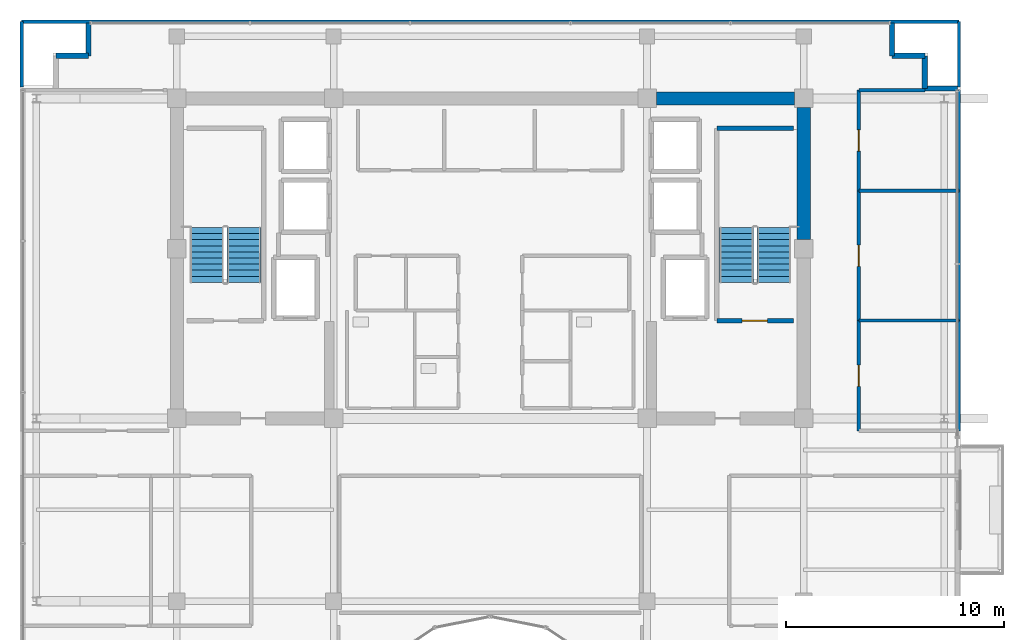
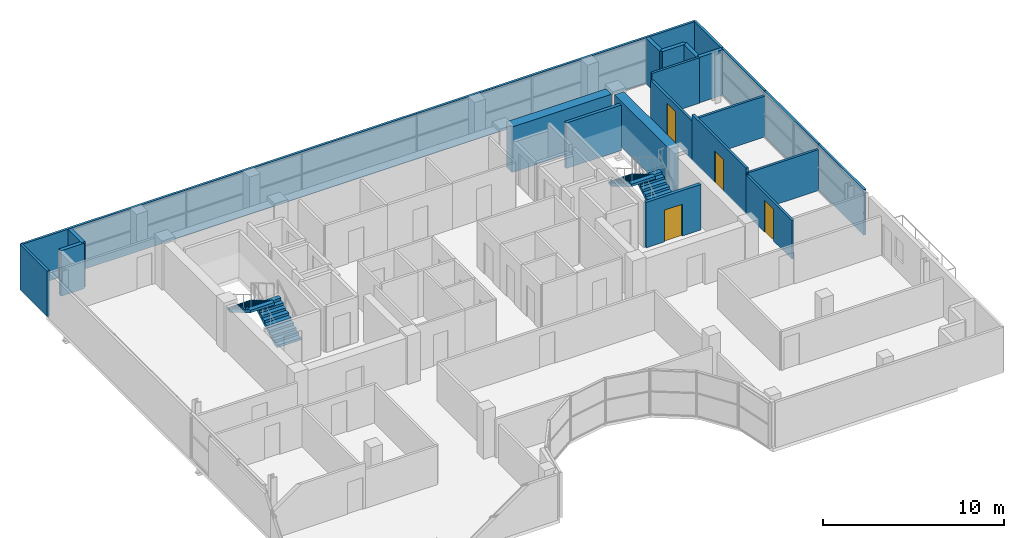
# One storey, part 26 of 29: 22 walls, 4 doors, 4 stair flights, 4 openings, 2 elements without a shape of their own.
"""IFC4 building model written with IfcOpenShell, lengths in metres."""

from ifc_helpers import new_model, si_unit, direction, frame, frame_2d, origin, place, context, subcontext, project, spatial, polyline, rectangle, outline, extrude, source, transform, mapped, material, layer, layer_set, type_object, element, fill, aggregate, save


model = new_model("IFC4")

# Units and contexts
model_context = context("Model", 3, precision=1e-05, world=origin(), true_north=direction((0.0, 1.0)))
body_context = subcontext(model_context, "Body", "Model", "MODEL_VIEW")
ifc_project = project(units=[si_unit("LENGTHUNIT", "METRE"), si_unit("AREAUNIT", "SQUARE_METRE"), si_unit("VOLUMEUNIT", "CUBIC_METRE"), si_unit("PLANEANGLEUNIT", "RADIAN"), si_unit("MASSUNIT", "GRAM", prefix="KILO")], contexts=[model_context])

# Site, building, storey
site_placement = place(None, origin())
site = spatial("IfcSite", under=ifc_project, at=site_placement, CompositionType="ELEMENT")
building_placement = place(site_placement, origin())
building = spatial("IfcBuilding", under=site, at=building_placement, Name="Zarnakvel Exchange Tower", CompositionType="ELEMENT")
storey_placement = place(building_placement, frame((0.0, 0.0, 258.39990234375)))
storey = spatial("IfcBuildingStorey", under=building, at=storey_placement, Name="L73", CompositionType="ELEMENT", Elevation=258.39990234375)

# Walls
ifc_material_1 = material(Name="Concrete C50/60", Category="concrete")
ifc_layer_1 = layer(ifc_material_1, 0.60009765625)
ifc_layer_set_1 = layer_set([ifc_layer_1], Name="Concrete C50/60")
wall_type_1 = type_object("IfcWallType", Name="CW-C5", PredefinedType="SHEAR", material=ifc_layer_set_1)
wall_1_placement = place(storey_placement, frame((7.625, 13.5, 0.0), z_axis=(0.0, 0.0, 1.0), x_axis=(1.0, 0.0, 0.0)))
element("IfcWall", 1, at=wall_1_placement, inside=storey, type_object=wall_type_1, Name="L73 Rear Core Shear Wall N3 (CW-C5)", PredefinedType="SHEAR", context=body_context, shape_type="SweptSolid", body=[
    extrude(rectangle(XDim=6.35009765625, YDim=0.60009765625, at=frame_2d((3.175048828125, 0.0))), origin(), (0.0, 0.0, 1.0), 3.0751953125),
])
wall_2_placement = place(storey_placement, frame((14.39990234375, 7.02490234375, 0.0), z_axis=(0.0, 0.0, 1.0), x_axis=(0.0, 1.0, 0.0)))
element("IfcWall", 2, at=wall_2_placement, inside=storey, type_object=wall_type_1, Name="L73 Rear Core Shear Wall E2 (CW-C5)", PredefinedType="SHEAR", context=body_context, shape_type="SweptSolid", body=[
    extrude(rectangle(XDim=6.050048828125, YDim=0.60009765625, at=frame_2d((3.02490234375, 0.0))), origin(), (0.0, 0.0, 1.0), 3.0751953125),
])
ifc_material_2 = material(Name="Precast concrete C40/50", Category="concrete")
ifc_layer_2 = layer(ifc_material_2, 0.239990234375)
ifc_layer_set_2 = layer_set([ifc_layer_2], Name="Precast concrete C40/50")
wall_type_2 = type_object("IfcWallType", Name="EW-02", PredefinedType="SOLIDWALL", material=ifc_layer_set_2)
for number, where, z_axis, x_axis, name in (
    (3, (-18.4599609375, 15.4599609375, 0.0), (0.0, 0.0, 1.0), (-1.0, 0.0, 0.0), "L73 Exterior Precast Spandrel Wall EWC-L73-03 (EW-02)"),
    (4, (-18.4599609375, 16.9599609375, 0.0), (0.0, 0.0, 1.0), (0.0, -1.0, 0.0), "L73 Exterior Precast Spandrel Wall EWC-L73-04 (EW-02)"),
    (5, (18.4599609375, 15.4599609375, 0.0), (0.0, 0.0, 1.0), (0.0, 1.0, 0.0), "L73 Exterior Precast Spandrel Wall EWC-L73-05 (EW-02)"),
    (6, (19.9599609375, 15.4599609375, 0.0), (0.0, 0.0, 1.0), (-1.0, 0.0, 0.0), "L73 Exterior Precast Spandrel Wall EWC-L73-06 (EW-02)"),
    (7, (19.9599609375, 13.9599609375, 0.0), (0.0, 0.0, 1.0), (0.0, 1.0, 0.0), "L73 Exterior Precast Spandrel Wall EWC-L73-07 (EW-02)"),
    (8, (21.4599609375, 13.9599609375, 0.0), (0.0, 0.0, 1.0), (-1.0, 0.0, 0.0), "L73 Exterior Precast Spandrel Wall EWC-L73-08 (EW-02)"),
):
    element("IfcWall", number, at=place(storey_placement, frame(where, z_axis=z_axis, x_axis=x_axis)), inside=storey, type_object=wall_type_2, Name=name, PredefinedType="SOLIDWALL", context=body_context, shape_type="SweptSolid", body=[
        extrude(rectangle(XDim=1.5, YDim=0.239990234375, at=frame_2d((0.75, 0.0))), origin(), (0.0, 0.0, 1.0), 3.0751953125),
    ])
ifc_material_3 = material(Name="Fire-Rated Gypsum Stud Partition", Category="gypsum")
ifc_layer_3 = layer(ifc_material_3, 0.14990234375)
ifc_layer_set_3 = layer_set([ifc_layer_3], Name="Fire-Rated Gypsum Stud Partition")
wall_type_3 = type_object("IfcWallType", Name="PT-01", PredefinedType="PARTITIONING", material=ifc_layer_set_3)
wall_3_placement = place(storey_placement, frame((16.929931640625, 3.2978515625, 0.0), z_axis=(0.0, 0.0, 1.0), x_axis=(1.0, 0.0, 0.0)))
element("IfcWall", 9, at=wall_3_placement, inside=storey, type_object=wall_type_3, Name="L73 Partition Wall PWALL-L73-069 (PT-01)", PredefinedType="PARTITIONING", context=body_context, shape_type="SweptSolid", body=[
    extrude(rectangle(XDim=4.60009765625, YDim=0.14990234375, at=frame_2d((2.300048828125, 0.0))), origin(), (0.0, 0.0, 1.0), 2.76513671875),
])

# Wall, opening, door
wall_4_placement = place(storey_placement, frame((16.929931640625, -1.77001953125, 0.0), z_axis=(0.0, 0.0, 1.0), x_axis=(0.0, 1.0, 0.0)))
wall_4 = element("IfcWall", 10, at=wall_4_placement, inside=storey, type_object=wall_type_3, Name="L73 Partition Wall PWALL-L73-070 (PT-01)", PredefinedType="PARTITIONING", context=body_context, shape_type="SweptSolid", body=[
    extrude(rectangle(XDim=5.06787109375, YDim=0.14990234375, at=frame_2d((2.533935546875, 0.0))), origin(), (0.0, 0.0, 1.0), 2.614990234375),
])
opening_1_placement = place(wall_4_placement, frame((2.0439453125, 0.0, 0.0)))
opening_1 = element("IfcOpeningElement", 11, at=opening_1_placement, cuts=wall_4, Name="Opening D-L73-24", PredefinedType="OPENING", context=body_context, shape_type="SweptSolid", body=[
    extrude(rectangle(XDim=0.97998046875, YDim=2.14990234375, at=frame_2d((0.489990234375, 1.074951171875))), frame((0.0, 0.0849609375, 0.0), z_axis=(0.0, -1.0, 0.0), x_axis=(1.0, 0.0, 0.0)), (0.0, 0.0, 1.0), 0.169921875),
])
ifc_material_4 = material(Name="Timber Acoustic Veneer", Category="wood")
door_type_1 = type_object("IfcDoorType", Name="DT-05", OperationType="NOTDEFINED", PredefinedType="DOOR", material=ifc_material_4)
shared_shape_1 = source(origin(), body_context, "Body", "SweptSolid", [
    extrude(rectangle(XDim=0.97998046875, YDim=2.14990234375, at=frame_2d((0.489990234375, 1.074951171875))), frame((0.0, 0.02490234375, 0.0), z_axis=(0.0, -1.0, 0.0), x_axis=(1.0, 0.0, 0.0)), (0.0, 0.0, 1.0), 0.050048828125),
])
door_1_placement = place(opening_1_placement, origin())
door_1 = element("IfcDoor", 12, at=door_1_placement, inside=storey, type_object=door_type_1, Name="L73 Breakout Pantry Door D-L73-24", OperationType="SINGLE_SWING_RIGHT", OverallHeight=2.14990234375, OverallWidth=0.97998046875, PredefinedType="DOOR", context=body_context, shape_type="MappedRepresentation", body=[
    mapped(shared_shape_1, transform((0.0, 0.0, 0.0), x_axis=(1.0, 0.0, 0.0), y_axis=(0.0, 1.0, 0.0), z_axis=(0.0, 0.0, 1.0), scale=1.0)),
])
fill(opening_1, door_1)

# Walls
wall_5_placement = place(storey_placement, frame((21.530029296875, 3.2978515625, 0.0), z_axis=(0.0, 0.0, 1.0), x_axis=(0.0, -1.0, 0.0)))
element("IfcWall", 13, at=wall_5_placement, inside=storey, type_object=wall_type_3, Name="L73 Partition Wall PWALL-L73-071 (PT-01)", PredefinedType="PARTITIONING", context=body_context, shape_type="SweptSolid", body=[
    extrude(rectangle(XDim=5.06787109375, YDim=0.14990234375, at=frame_2d((2.533935546875, 0.0))), origin(), (0.0, 0.0, 1.0), 3.0751953125),
])
wall_6_placement = place(storey_placement, frame((16.929931640625, 9.25830078125, 0.0), z_axis=(0.0, 0.0, 1.0), x_axis=(1.0, 0.0, 0.0)))
element("IfcWall", 14, at=wall_6_placement, inside=storey, type_object=wall_type_3, Name="L73 Partition Wall PWALL-L73-072 (PT-01)", PredefinedType="PARTITIONING", context=body_context, shape_type="SweptSolid", body=[
    extrude(rectangle(XDim=4.60009765625, YDim=0.14990234375, at=frame_2d((2.300048828125, 0.0))), origin(), (0.0, 0.0, 1.0), 2.76513671875),
])

# Wall, opening, door
wall_7_placement = place(storey_placement, frame((16.929931640625, 3.2978515625, 0.0), z_axis=(0.0, 0.0, 1.0), x_axis=(0.0, 1.0, 0.0)))
wall_7 = element("IfcWall", 15, at=wall_7_placement, inside=storey, type_object=wall_type_3, Name="L73 Partition Wall PWALL-L73-073 (PT-01)", PredefinedType="PARTITIONING", context=body_context, shape_type="SweptSolid", body=[
    extrude(rectangle(XDim=5.96044921875, YDim=0.14990234375, at=frame_2d((2.980224609375, 0.0))), origin(), (0.0, 0.0, 1.0), 3.0751953125),
])
opening_2_placement = place(wall_7_placement, frame((2.489990234375, 0.0, 0.0)))
opening_2 = element("IfcOpeningElement", 16, at=opening_2_placement, cuts=wall_7, Name="Opening D-L73-25", PredefinedType="OPENING", context=body_context, shape_type="SweptSolid", body=[
    extrude(rectangle(XDim=0.97998046875, YDim=2.14990234375, at=frame_2d((0.489990234375, 1.074951171875))), frame((0.0, 0.0849609375, 0.0), z_axis=(0.0, -1.0, 0.0), x_axis=(1.0, 0.0, 0.0)), (0.0, 0.0, 1.0), 0.169921875),
])
door_2_placement = place(opening_2_placement, origin())
door_2 = element("IfcDoor", 17, at=door_2_placement, inside=storey, type_object=door_type_1, Name="L73 Settlement Office Door D-L73-25", OperationType="SINGLE_SWING_LEFT", OverallHeight=2.14990234375, OverallWidth=0.97998046875, PredefinedType="DOOR", context=body_context, shape_type="MappedRepresentation", body=[
    mapped(shared_shape_1, transform((0.0, 0.0, 0.0), x_axis=(1.0, 0.0, 0.0), y_axis=(0.0, 1.0, 0.0), z_axis=(0.0, 0.0, 1.0), scale=1.0)),
])
fill(opening_2, door_2)

# Walls
wall_8_placement = place(storey_placement, frame((21.530029296875, 9.25830078125, 0.0), z_axis=(0.0, 0.0, 1.0), x_axis=(0.0, -1.0, 0.0)))
element("IfcWall", 18, at=wall_8_placement, inside=storey, type_object=wall_type_3, Name="L73 Partition Wall PWALL-L73-074 (PT-01)", PredefinedType="PARTITIONING", context=body_context, shape_type="SweptSolid", body=[
    extrude(rectangle(XDim=5.96044921875, YDim=0.14990234375, at=frame_2d((2.980224609375, 0.0))), origin(), (0.0, 0.0, 1.0), 3.0751953125),
])
wall_9_placement = place(storey_placement, frame((16.929931640625, 13.8798828125, 0.0), z_axis=(0.0, 0.0, 1.0), x_axis=(1.0, 0.0, 0.0)))
element("IfcWall", 19, at=wall_9_placement, inside=storey, type_object=wall_type_3, Name="L73 Partition Wall PWALL-L73-075 (PT-01)", PredefinedType="PARTITIONING", context=body_context, shape_type="SweptSolid", body=[
    extrude(rectangle(XDim=3.030029296875, YDim=0.14990234375, at=frame_2d((1.51513671875, 0.0))), origin(), (0.0, 0.0, 1.0), 3.0751953125),
])

# Wall, opening, door
wall_10_placement = place(storey_placement, frame((16.929931640625, 9.25830078125, 0.0), z_axis=(0.0, 0.0, 1.0), x_axis=(0.0, 1.0, 0.0)))
wall_10 = element("IfcWall", 20, at=wall_10_placement, inside=storey, type_object=wall_type_3, Name="L73 Partition Wall PWALL-L73-076 (PT-01)", PredefinedType="PARTITIONING", context=body_context, shape_type="SweptSolid", body=[
    extrude(rectangle(XDim=4.62158203125, YDim=0.14990234375, at=frame_2d((2.310791015625, 0.0))), origin(), (0.0, 0.0, 1.0), 2.614990234375),
])
opening_3_placement = place(wall_10_placement, frame((1.82080078125, 0.0, 0.0)))
opening_3 = element("IfcOpeningElement", 21, at=opening_3_placement, cuts=wall_10, Name="Opening D-L73-26", PredefinedType="OPENING", context=body_context, shape_type="SweptSolid", body=[
    extrude(rectangle(XDim=0.97998046875, YDim=2.14990234375, at=frame_2d((0.489990234375, 1.074951171875))), frame((0.0, 0.0849609375, 0.0), z_axis=(0.0, -1.0, 0.0), x_axis=(1.0, 0.0, 0.0)), (0.0, 0.0, 1.0), 0.169921875),
])
door_3_placement = place(opening_3_placement, origin())
door_3 = element("IfcDoor", 22, at=door_3_placement, inside=storey, type_object=door_type_1, Name="L73 Reception Lounge Door D-L73-26", OperationType="SINGLE_SWING_RIGHT", OverallHeight=2.14990234375, OverallWidth=0.97998046875, PredefinedType="DOOR", context=body_context, shape_type="MappedRepresentation", body=[
    mapped(shared_shape_1, transform((0.0, 0.0, 0.0), x_axis=(1.0, 0.0, 0.0), y_axis=(0.0, 1.0, 0.0), z_axis=(0.0, 0.0, 1.0), scale=1.0)),
])
fill(opening_3, door_3)

# Walls
wall_11_placement = place(storey_placement, frame((21.530029296875, 13.8798828125, 0.0), z_axis=(0.0, 0.0, 1.0), x_axis=(0.0, -1.0, 0.0)))
element("IfcWall", 23, at=wall_11_placement, inside=storey, type_object=wall_type_3, Name="L73 Partition Wall PWALL-L73-077 (PT-01)", PredefinedType="PARTITIONING", context=body_context, shape_type="SweptSolid", body=[
    extrude(rectangle(XDim=4.62158203125, YDim=0.14990234375, at=frame_2d((2.310791015625, 0.0))), origin(), (0.0, 0.0, 1.0), 3.0751953125),
])
wall_12_placement = place(storey_placement, frame((-21.530029296875, 17.030029296875, 0.0), z_axis=(0.0, 0.0, 1.0), x_axis=(1.0, 0.0, 0.0)))
element("IfcWall", 24, at=wall_12_placement, inside=storey, type_object=wall_type_3, Name="L73 Partition Wall PWALL-L73-078 (PT-01)", PredefinedType="PARTITIONING", context=body_context, shape_type="SweptSolid", body=[
    extrude(rectangle(XDim=43.06005859375, YDim=0.14990234375, at=frame_2d((21.530029296875, 0.0))), origin(), (0.0, 0.0, 1.0), 3.0751953125),
])
for number, where, z_axis, x_axis, name in (
    (25, (-21.530029296875, 14.030029296875, 0.0), (0.0, 0.0, 1.0), (0.0, 1.0, 0.0), "L73 Partition Wall PWALL-L73-079 (PT-01)"),
    (26, (21.530029296875, 17.030029296875, 0.0), (0.0, 0.0, 1.0), (0.0, -1.0, 0.0), "L73 Partition Wall PWALL-L73-080 (PT-01)"),
):
    element("IfcWall", number, at=place(storey_placement, frame(where, z_axis=z_axis, x_axis=x_axis)), inside=storey, type_object=wall_type_3, Name=name, PredefinedType="PARTITIONING", context=body_context, shape_type="SweptSolid", body=[
        extrude(rectangle(XDim=3.0, YDim=0.14990234375, at=frame_2d((1.5, 0.0))), origin(), (0.0, 0.0, 1.0), 3.0751953125),
    ])

# Wall, opening, door
ifc_material_5 = material(Name="Concrete C40/50", Category="concrete")
ifc_layer_4 = layer(ifc_material_5, 0.199951171875)
ifc_layer_set_4 = layer_set([ifc_layer_4], Name="Concrete C40/50")
wall_type_4 = type_object("IfcWallType", Name="SW-02", PredefinedType="SOLIDWALL", material=ifc_layer_set_4)
wall_13_placement = place(storey_placement, frame((13.929931640625, 3.2900390625, 0.0), z_axis=(0.0, 0.0, 1.0), x_axis=(-1.0, 0.0, 0.0)))
wall_13 = element("IfcWall", 27, at=wall_13_placement, inside=storey, type_object=wall_type_4, Name="L73 Stairwell Core Wall PWALL-L73-004 (SW-02)", PredefinedType="SOLIDWALL", context=body_context, shape_type="SweptSolid", body=[
    extrude(rectangle(XDim=3.52001953125, YDim=0.199951171875, at=frame_2d((1.760009765625, 0.0))), origin(), (0.0, 0.0, 1.0), 3.0751953125),
])
opening_4_placement = place(wall_13_placement, frame((1.205078125, 0.0, 0.0)))
opening_4 = element("IfcOpeningElement", 28, at=opening_4_placement, cuts=wall_13, Name="Opening D-L73-02", PredefinedType="OPENING", context=body_context, shape_type="SweptSolid", body=[
    extrude(rectangle(XDim=1.14990234375, YDim=2.14990234375, at=frame_2d((0.574951171875, 1.074951171875))), frame((0.0, 0.10986328125, 0.0), z_axis=(0.0, -1.0, 0.0), x_axis=(1.0, 0.0, 0.0)), (0.0, 0.0, 1.0), 0.219970703125),
])
ifc_material_6 = material(Name="Painted Galvanised Steel S355", Category="steel")
door_type_2 = type_object("IfcDoorType", Name="DT-04", OperationType="NOTDEFINED", PredefinedType="DOOR", material=ifc_material_6)
shared_shape_2 = source(origin(), body_context, "Body", "SweptSolid", [
    extrude(rectangle(XDim=1.14990234375, YDim=2.14990234375, at=frame_2d((0.574951171875, 1.074951171875))), frame((0.0, 0.02490234375, 0.0), z_axis=(0.0, -1.0, 0.0), x_axis=(1.0, 0.0, 0.0)), (0.0, 0.0, 1.0), 0.050048828125),
])
door_4_placement = place(opening_4_placement, origin())
door_4 = element("IfcDoor", 29, at=door_4_placement, inside=storey, type_object=door_type_2, Name="L73 Stairwell ST-02 Door D-L73-02", OperationType="SINGLE_SWING_RIGHT", OverallHeight=2.14990234375, OverallWidth=1.14990234375, PredefinedType="DOOR", context=body_context, shape_type="MappedRepresentation", body=[
    mapped(shared_shape_2, transform((0.0, 0.0, 0.0), x_axis=(1.0, 0.0, 0.0), y_axis=(0.0, 1.0, 0.0), z_axis=(0.0, 0.0, 1.0), scale=1.0)),
])
fill(opening_4, door_4)

# Wall
wall_14_placement = place(storey_placement, frame((10.409912109375, 12.1298828125, 0.0), z_axis=(0.0, 0.0, 1.0), x_axis=(1.0, 0.0, 0.0)))
element("IfcWall", 30, at=wall_14_placement, inside=storey, type_object=wall_type_4, Name="L73 Stairwell Core Wall PWALL-L73-005 (SW-02)", PredefinedType="SOLIDWALL", context=body_context, shape_type="SweptSolid", body=[
    extrude(rectangle(XDim=3.52001953125, YDim=0.199951171875, at=frame_2d((1.760009765625, 0.0))), origin(), (0.0, 0.0, 1.0), 3.0751953125),
])

# Stair, stair flights
stair_type = type_object("IfcStairType", Name="STR-01", PredefinedType="HALF_TURN_STAIR", material=ifc_material_5)
stair_1_placement = place(storey_placement, origin())
stair_1 = element("IfcStair", 31, at=stair_1_placement, inside=storey, type_object=stair_type, Name="L73 Protected Core Exit Stair ST-01", PredefinedType="HALF_TURN_STAIR")
stair_flight_type = type_object("IfcStairFlightType", Name="FLT-01", PredefinedType="STRAIGHT", material=ifc_material_5)
stair_flight_1_placement = place(storey_placement, frame((-11.31494140625, 5.050048828125, 0.0), z_axis=(0.0, 0.0, 1.0), x_axis=(0.0, 1.0, 0.0)))
stair_flight_1 = element("IfcStairFlight", 32, at=stair_flight_1_placement, type_object=stair_flight_type, Name="ST-01 flight 1", NumberOfRisers=10, NumberOfTreads=9, PredefinedType="STRAIGHT", RiserHeight=0.165, TreadLength=0.28, context=body_context, shape_type="SweptSolid", body=[
    extrude(outline(polyline([(0.0, 0.0), (0.0, 0.1650390625), (0.280029296875, 0.1650390625), (0.280029296875, 0.330078125), (0.56005859375, 0.330078125), (0.56005859375, 0.4951171875), (0.840087890625, 0.4951171875), (0.840087890625, 0.659912109375), (1.1201171875, 0.659912109375), (1.1201171875, 0.824951171875), (1.39990234375, 0.824951171875), (1.39990234375, 0.989990234375), (1.679931640625, 0.989990234375), (1.679931640625, 1.155029296875), (1.9599609375, 1.155029296875), (1.9599609375, 1.320068359375), (2.239990234375, 1.320068359375), (2.239990234375, 1.485107421875), (2.52001953125, 1.485107421875), (2.52001953125, 1.64990234375), (2.52001953125, 1.31103515625), (0.295166015625, 0.0), (0.0, 0.0)])), frame((0.0, 0.77490234375, 0.0), z_axis=(0.0, -1.0, 0.0), x_axis=(1.0, 0.0, 0.0)), (0.0, 0.0, 1.0), 1.550048828125),
])
stair_flight_2_placement = place(storey_placement, frame((-13.02490234375, 7.570068359375, 1.650146484375), z_axis=(0.0, 0.0, 1.0), x_axis=(0.0, -1.0, 0.0)))
stair_flight_2 = element("IfcStairFlight", 33, at=stair_flight_2_placement, type_object=stair_flight_type, Name="ST-01 flight 2", NumberOfRisers=10, NumberOfTreads=9, PredefinedType="STRAIGHT", RiserHeight=0.165, TreadLength=0.28, context=body_context, shape_type="SweptSolid", body=[
    extrude(outline(polyline([(0.0, 0.0), (0.0, 0.1650390625), (0.280029296875, 0.1650390625), (0.280029296875, 0.330078125), (0.56005859375, 0.330078125), (0.56005859375, 0.4951171875), (0.840087890625, 0.4951171875), (0.840087890625, 0.659912109375), (1.1201171875, 0.659912109375), (1.1201171875, 0.824951171875), (1.39990234375, 0.824951171875), (1.39990234375, 0.989990234375), (1.679931640625, 0.989990234375), (1.679931640625, 1.155029296875), (1.9599609375, 1.155029296875), (1.9599609375, 1.320068359375), (2.239990234375, 1.320068359375), (2.239990234375, 1.485107421875), (2.52001953125, 1.485107421875), (2.52001953125, 1.64990234375), (2.52001953125, 1.31103515625), (0.295166015625, 0.0), (0.0, 0.0)])), frame((0.0, 0.77490234375, 0.0), z_axis=(0.0, -1.0, 0.0), x_axis=(1.0, 0.0, 0.0)), (0.0, 0.0, 1.0), 1.550048828125),
])
aggregate(stair_1, [stair_flight_1, stair_flight_2])

stair_2_placement = place(storey_placement, origin())
stair_2 = element("IfcStair", 34, at=stair_2_placement, inside=storey, type_object=stair_type, Name="L73 Protected Core Exit Stair ST-02", PredefinedType="HALF_TURN_STAIR")
stair_flight_3_placement = place(storey_placement, frame((13.02490234375, 5.050048828125, 0.0), z_axis=(0.0, 0.0, 1.0), x_axis=(0.0, 1.0, 0.0)))
stair_flight_3 = element("IfcStairFlight", 35, at=stair_flight_3_placement, type_object=stair_flight_type, Name="ST-02 flight 1", NumberOfRisers=10, NumberOfTreads=9, PredefinedType="STRAIGHT", RiserHeight=0.165, TreadLength=0.28, context=body_context, shape_type="SweptSolid", body=[
    extrude(outline(polyline([(0.0, 0.0), (0.0, 0.1650390625), (0.280029296875, 0.1650390625), (0.280029296875, 0.330078125), (0.56005859375, 0.330078125), (0.56005859375, 0.4951171875), (0.840087890625, 0.4951171875), (0.840087890625, 0.659912109375), (1.1201171875, 0.659912109375), (1.1201171875, 0.824951171875), (1.39990234375, 0.824951171875), (1.39990234375, 0.989990234375), (1.679931640625, 0.989990234375), (1.679931640625, 1.155029296875), (1.9599609375, 1.155029296875), (1.9599609375, 1.320068359375), (2.239990234375, 1.320068359375), (2.239990234375, 1.485107421875), (2.52001953125, 1.485107421875), (2.52001953125, 1.64990234375), (2.52001953125, 1.31103515625), (0.295166015625, 0.0), (0.0, 0.0)])), frame((0.0, 0.77490234375, 0.0), z_axis=(0.0, -1.0, 0.0), x_axis=(1.0, 0.0, 0.0)), (0.0, 0.0, 1.0), 1.550048828125),
])
stair_flight_4_placement = place(storey_placement, frame((11.31494140625, 7.570068359375, 1.650146484375), z_axis=(0.0, 0.0, 1.0), x_axis=(0.0, -1.0, 0.0)))
stair_flight_4 = element("IfcStairFlight", 36, at=stair_flight_4_placement, type_object=stair_flight_type, Name="ST-02 flight 2", NumberOfRisers=10, NumberOfTreads=9, PredefinedType="STRAIGHT", RiserHeight=0.165, TreadLength=0.28, context=body_context, shape_type="SweptSolid", body=[
    extrude(outline(polyline([(0.0, 0.0), (0.0, 0.1650390625), (0.280029296875, 0.1650390625), (0.280029296875, 0.330078125), (0.56005859375, 0.330078125), (0.56005859375, 0.4951171875), (0.840087890625, 0.4951171875), (0.840087890625, 0.659912109375), (1.1201171875, 0.659912109375), (1.1201171875, 0.824951171875), (1.39990234375, 0.824951171875), (1.39990234375, 0.989990234375), (1.679931640625, 0.989990234375), (1.679931640625, 1.155029296875), (1.9599609375, 1.155029296875), (1.9599609375, 1.320068359375), (2.239990234375, 1.320068359375), (2.239990234375, 1.485107421875), (2.52001953125, 1.485107421875), (2.52001953125, 1.64990234375), (2.52001953125, 1.31103515625), (0.295166015625, 0.0), (0.0, 0.0)])), frame((0.0, 0.77490234375, 0.0), z_axis=(0.0, -1.0, 0.0), x_axis=(1.0, 0.0, 0.0)), (0.0, 0.0, 1.0), 1.550048828125),
])
aggregate(stair_2, [stair_flight_3, stair_flight_4])

save(model, "model.ifc")
